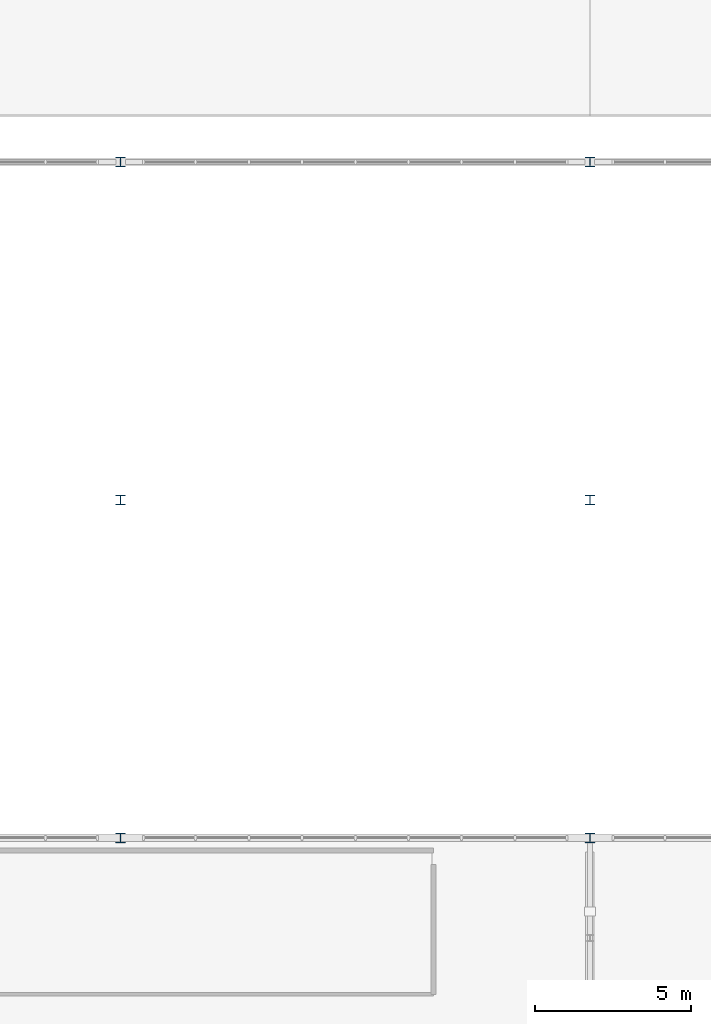
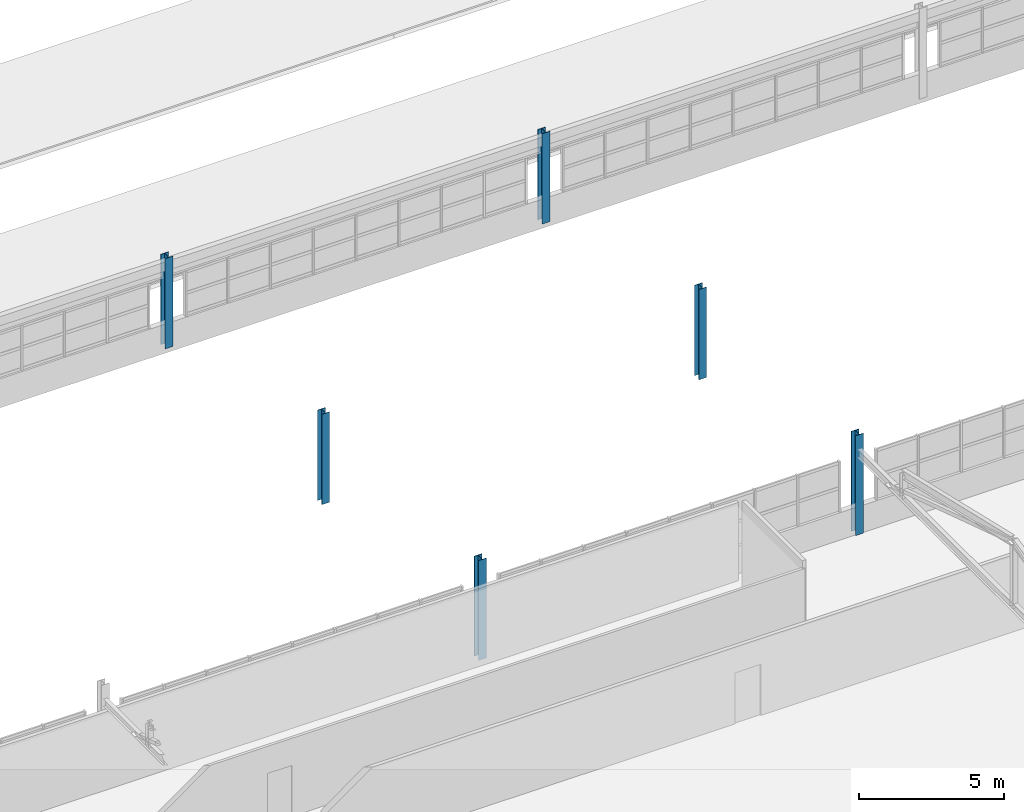
# One storey, part 4 of 90: 6 columns.
"""IFC4 building model written with IfcOpenShell, lengths in metres."""

import ifcopenshell
import ifcopenshell.guid

model = None  # the IFC model being written
_history = None  # IfcOwnerHistory: only IFC2X3 demands one
_inside = {}  # id of a spatial element -> (the spatial element, [elements in it])
_under = {}  # id of a project, library or spatial element -> (it, [spatial elements below it])
_declared = {}  # id of a project -> (the project, [libraries it declares])
_typed = {}  # id of a type object -> (the type object, [elements of that type])
_made_of = {}  # id of a material, layer set ... -> (it, [elements and type objects made of it])


def new_model(schema):
    """Start an empty IFC model of exactly this schema.

    Asked for "IFC4X3", IfcOpenShell would pick the latest addendum, in which some entities
    have other attributes; the version numbers below select the first issue.
    IFC2X3 requires an IfcOwnerHistory on every rooted entity: one is made here for all.
    """
    global model, _history
    if schema == "IFC4X3":
        model = ifcopenshell.file(schema_version=(4, 3, 0, 0))
    else:
        model = ifcopenshell.file(schema=schema)
    _inside.clear()
    _under.clear()
    _declared.clear()
    _typed.clear()
    _made_of.clear()
    _history = None
    if model.schema == "IFC2X3":
        org = make("IfcOrganization", Name="unknown")
        user = make(
            "IfcPersonAndOrganization",
            ThePerson=make("IfcPerson", FamilyName="unknown"),
            TheOrganization=org,
        )
        app = make(
            "IfcApplication",
            ApplicationDeveloper=org,
            Version="unknown",
            ApplicationFullName="unknown",
            ApplicationIdentifier="unknown",
        )
        _history = make(
            "IfcOwnerHistory",
            OwningUser=user,
            OwningApplication=app,
            ChangeAction="ADDED",
            CreationDate=0,
        )
    return model


def make(cls, **values):
    """One entity of the class cls with the attributes given. An attribute that is None is left unset."""
    return model.create_entity(
        cls, **{name: value for name, value in values.items() if value is not None}
    )


def rooted(cls, **values):
    """An entity with a GlobalId (a new one), such as an element, a storey or a relation."""
    return make(cls, GlobalId=ifcopenshell.guid.new(), OwnerHistory=_history, **values)


def si_unit(unit_type, name, prefix=None):
    """IfcSIUnit, for example si_unit("LENGTHUNIT", "METRE", prefix="MILLI")."""
    return make("IfcSIUnit", UnitType=unit_type, Prefix=prefix, Name=name)


def assignment(units):
    """IfcUnitAssignment: the units of a project."""
    return None if units is None else make("IfcUnitAssignment", Units=units)


def point(xyz):
    """IfcCartesianPoint."""
    return None if xyz is None else make("IfcCartesianPoint", Coordinates=xyz)


def direction(xyz):
    """IfcDirection."""
    return None if xyz is None else make("IfcDirection", DirectionRatios=xyz)


def frame(location, z_axis=None, x_axis=None):
    """IfcAxis2Placement3D, a coordinate frame: its origin and axes. An axis left out is left unset."""
    return make(
        "IfcAxis2Placement3D",
        Location=point(location),
        Axis=direction(z_axis),
        RefDirection=direction(x_axis),
    )


def frame_2d(location, x_axis=None):
    """IfcAxis2Placement2D, a coordinate frame in the plane: its origin and x axis."""
    return make(
        "IfcAxis2Placement2D", Location=point(location), RefDirection=direction(x_axis)
    )


def origin():
    """The frame at (0, 0, 0) with its axes left unset."""
    return frame((0.0, 0.0, 0.0))


def origin_2d():
    """The frame at (0, 0) in the plane with its x axis left unset."""
    return frame_2d((0.0, 0.0))


def place(relative_to, where):
    """IfcLocalPlacement: puts the frame where relative to a parent placement (None: the world)."""
    return make(
        "IfcLocalPlacement", PlacementRelTo=relative_to, RelativePlacement=where
    )


def context(
    kind, dimensions, precision=None, world=None, true_north=None, identifier=None
):
    """IfcGeometricRepresentationContext, for example the 3D "Model" context."""
    return make(
        "IfcGeometricRepresentationContext",
        ContextIdentifier=identifier,
        ContextType=kind,
        CoordinateSpaceDimension=dimensions,
        Precision=precision,
        WorldCoordinateSystem=world,
        TrueNorth=true_north,
    )


def subcontext(parent, identifier, kind, view, scale=None):
    """IfcGeometricRepresentationSubContext, for example "Body" below "Model"."""
    return make(
        "IfcGeometricRepresentationSubContext",
        ContextIdentifier=identifier,
        ContextType=kind,
        ParentContext=parent,
        TargetScale=scale,
        TargetView=view,
    )


def project(units=None, contexts=None):
    """IfcProject with its units and contexts."""
    return rooted(
        "IfcProject",
        Name="project",
        RepresentationContexts=contexts,
        UnitsInContext=assignment(units),
    )


def spatial(cls, under=None, at=None, **own):
    """A site, building, storey or space (cls), placed at a placement, below another one or the project."""
    s = rooted(cls, ObjectPlacement=at, **own)
    if under is not None:
        _under.setdefault(under.id(), (under, []))[1].append(s)
    return s


def profile(cls, at=None, kind="AREA", **sizes):
    """A parametric profile (cls). Its sizes go by their IFC names, for example OverallWidth=200.0."""
    return make(cls, ProfileType=kind, Position=at, **sizes)


def i_section(**sizes):
    """IfcIShapeProfileDef."""
    return profile("IfcIShapeProfileDef", **sizes)


def extrude(swept, where, along, depth):
    """IfcExtrudedAreaSolid: the profile swept, set in the frame where, extruded along a direction by depth."""
    return make(
        "IfcExtrudedAreaSolid",
        SweptArea=swept,
        Position=where,
        ExtrudedDirection=direction(along),
        Depth=depth,
    )


def shape(context_of_items, identifier, shape_type, items):
    """IfcShapeRepresentation: the items that make up one representation, for example the "Body"."""
    return make(
        "IfcShapeRepresentation",
        ContextOfItems=context_of_items,
        RepresentationIdentifier=identifier,
        RepresentationType=shape_type,
        Items=items,
    )


def material(Name=None, Category=None):
    """IfcMaterial."""
    return make("IfcMaterial", Name=Name, Category=Category)


def material_profile(
    of_material, cross_section, Name=None, Category=None, Priority=None
):
    """IfcMaterialProfile: a cross section and its material."""
    return make(
        "IfcMaterialProfile",
        Name=Name,
        Material=of_material,
        Profile=cross_section,
        Priority=Priority,
        Category=Category,
    )


def profile_set(profiles, Name=None, composite=None):
    """IfcMaterialProfileSet."""
    return make(
        "IfcMaterialProfileSet",
        Name=Name,
        MaterialProfiles=profiles,
        CompositeProfile=composite,
    )


def made_of(thing, what):
    """Note that an element or type object is made of a material, layer set ...; save() writes the relation."""
    if what is not None:
        _made_of.setdefault(what.id(), (what, []))[1].append(thing)
    return thing


def type_object(cls, material=None, **own):
    """A type object (cls), such as IfcWallType, which elements share."""
    return made_of(rooted(cls, **own), material)


def element(
    cls,
    number,
    at=None,
    inside=None,
    cuts=None,
    type_object=None,
    material=None,
    context=None,
    identifier="Body",
    shape_type=None,
    held_by="IfcProductDefinitionShape",
    body=None,
    shapes=None,
    **own,
):
    """One element of the class cls, such as IfcWall. Its Tag is "e" and its number.

    at: its placement. inside: the storey or other place that contains it. cuts: it is an
    opening in that element (IfcRelVoidsElement). A single representation is given by context,
    identifier, shape_type and body (its items); several are given by shapes. held_by: the class
    of the entity that holds the representations. save() writes the other relations.
    """
    e = rooted(cls, Tag="e%d" % number, ObjectPlacement=at, **own)
    if body is not None:
        shapes = [shape(context, identifier, shape_type, body)]
    if shapes is not None:
        e.Representation = make(held_by, Representations=shapes)
    if inside is not None:
        _inside.setdefault(inside.id(), (inside, []))[1].append(e)
    if cuts is not None:
        rooted(
            "IfcRelVoidsElement", RelatingBuildingElement=cuts, RelatedOpeningElement=e
        )
    if type_object is not None:
        _typed.setdefault(type_object.id(), (type_object, []))[1].append(e)
    return made_of(e, material)


def aggregate(whole, parts):
    """IfcRelAggregates: a whole, such as a stair, and the parts it consists of."""
    return rooted("IfcRelAggregates", RelatingObject=whole, RelatedObjects=parts)


def save(model, path):
    """Write the relations noted so far, then the file.

    IfcRelAggregates (storeys below a building ...), IfcRelContainedInSpatialStructure (elements
    in a storey), IfcRelDefinesByType, IfcRelAssociatesMaterial and IfcRelDeclares: one each for
    every whole, place, type object, material and project.
    """
    for whole, parts in _under.values():
        aggregate(whole, parts)
    for where, things in _inside.values():
        rooted(
            "IfcRelContainedInSpatialStructure",
            RelatedElements=things,
            RelatingStructure=where,
        )
    for kind, things in _typed.values():
        rooted("IfcRelDefinesByType", RelatedObjects=things, RelatingType=kind)
    for what, things in _made_of.values():
        rooted("IfcRelAssociatesMaterial", RelatedObjects=things, RelatingMaterial=what)
    for by, libraries in _declared.values():
        rooted("IfcRelDeclares", RelatingContext=by, RelatedDefinitions=libraries)
    model.write(path)


model = new_model("IFC4")

# Units and contexts
model_context = context("Model", 3, precision=1e-05, world=origin(), true_north=direction((0.0, 1.0)))
body_context = subcontext(model_context, "Body", "Model", "MODEL_VIEW")
ifc_project = project(units=[si_unit("LENGTHUNIT", "METRE"), si_unit("AREAUNIT", "SQUARE_METRE"), si_unit("VOLUMEUNIT", "CUBIC_METRE"), si_unit("PLANEANGLEUNIT", "RADIAN"), si_unit("MASSUNIT", "GRAM", prefix="KILO")], contexts=[model_context])

# Site, building, storey
site_placement = place(None, origin())
site = spatial("IfcSite", under=ifc_project, at=site_placement, CompositionType="ELEMENT")
building_placement = place(site_placement, origin())
building = spatial("IfcBuilding", under=site, at=building_placement, Name="Solanera Park Tramway Depot", CompositionType="ELEMENT")
storey_placement = place(building_placement, frame((0.0, 0.0, 9.0)))
storey = spatial("IfcBuildingStorey", under=building, at=storey_placement, Name="L02", CompositionType="ELEMENT", Elevation=9.0)

# Columns
ifc_material_1 = material(Name="Steel AS/NZS 3679.1 Grade 350", Category="steel")
ifc_material_profile_1 = material_profile(ifc_material_1, i_section(OverallWidth=0.306884765625, OverallDepth=0.314697265625, WebThickness=0.011962890625, FlangeThickness=0.018798828125, at=origin_2d()), Name="310UC118")
ifc_profile_set_1 = profile_set([ifc_material_profile_1], Name="Steel AS/NZS 3679.1 Grade 350")
column_type_1 = type_object("IfcColumnType", Name="Steel Column Ext 310UC118", PredefinedType="COLUMN", material=ifc_profile_set_1)
for number, where, z_axis, x_axis, name in (
    (1, (45.0, 54.0, 0.0), (0.0, 0.0, 1.0), (1.0, 0.0, 0.0), "L02 Column V2-X450-Y540"),
    (2, (60.0, 54.0, 0.0), (0.0, 0.0, 1.0), (1.0, 0.0, 0.0), "L02 Column V2-X600-Y540"),
):
    element("IfcColumn", number, at=place(storey_placement, frame(where, z_axis=z_axis, x_axis=x_axis)), inside=storey, type_object=column_type_1, Name=name, PredefinedType="COLUMN", context=body_context, shape_type="SweptSolid", body=[
        extrude(i_section(OverallWidth=0.306884765625, OverallDepth=0.314697265625, WebThickness=0.011962890625, FlangeThickness=0.018798828125, at=origin_2d()), origin(), (0.0, 0.0, 1.0), 3.800048828125),
    ])
ifc_material_2 = material(Name="Steel AS/NZS 3679.1 Grade 350", Category="steel")
ifc_material_profile_2 = material_profile(ifc_material_2, i_section(OverallWidth=0.306884765625, OverallDepth=0.314697265625, WebThickness=0.011962890625, FlangeThickness=0.018798828125, at=origin_2d()), Name="310UC118")
ifc_profile_set_2 = profile_set([ifc_material_profile_2], Name="Steel AS/NZS 3679.1 Grade 350")
column_type_2 = type_object("IfcColumnType", Name="Steel Column Int 310UC118", PredefinedType="COLUMN", material=ifc_profile_set_2)
column_1_placement = place(storey_placement, frame((45.0, 32.39990234375, 0.0), z_axis=(0.0, 0.0, 1.0), x_axis=(1.0, 0.0, 0.0)))
element("IfcColumn", 3, at=column_1_placement, inside=storey, type_object=column_type_2, Name="L02 Column V2-X450-Y324", PredefinedType="COLUMN", context=body_context, shape_type="SweptSolid", body=[
    extrude(i_section(OverallWidth=0.306884765625, OverallDepth=0.314697265625, WebThickness=0.011962890625, FlangeThickness=0.018798828125, at=origin_2d()), origin(), (0.0, 0.0, 1.0), 4.199951171875),
])
column_2_placement = place(storey_placement, frame((45.0, 43.199951171875, 0.0), z_axis=(0.0, 0.0, 1.0), x_axis=(1.0, 0.0, 0.0)))
element("IfcColumn", 4, at=column_2_placement, inside=storey, type_object=column_type_2, Name="L02 Column V2-X450-Y432", PredefinedType="COLUMN", context=body_context, shape_type="SweptSolid", body=[
    extrude(i_section(OverallWidth=0.306884765625, OverallDepth=0.314697265625, WebThickness=0.011962890625, FlangeThickness=0.018798828125, at=origin_2d()), origin(), (0.0, 0.0, 1.0), 3.800048828125),
])
column_3_placement = place(storey_placement, frame((60.0, 32.39990234375, 0.0), z_axis=(0.0, 0.0, 1.0), x_axis=(1.0, 0.0, 0.0)))
element("IfcColumn", 5, at=column_3_placement, inside=storey, type_object=column_type_2, Name="L02 Column V2-X600-Y324", PredefinedType="COLUMN", context=body_context, shape_type="SweptSolid", body=[
    extrude(i_section(OverallWidth=0.306884765625, OverallDepth=0.314697265625, WebThickness=0.011962890625, FlangeThickness=0.018798828125, at=origin_2d()), origin(), (0.0, 0.0, 1.0), 4.199951171875),
])
column_4_placement = place(storey_placement, frame((60.0, 43.199951171875, 0.0), z_axis=(0.0, 0.0, 1.0), x_axis=(1.0, 0.0, 0.0)))
element("IfcColumn", 6, at=column_4_placement, inside=storey, type_object=column_type_2, Name="L02 Column V2-X600-Y432", PredefinedType="COLUMN", context=body_context, shape_type="SweptSolid", body=[
    extrude(i_section(OverallWidth=0.306884765625, OverallDepth=0.314697265625, WebThickness=0.011962890625, FlangeThickness=0.018798828125, at=origin_2d()), origin(), (0.0, 0.0, 1.0), 3.800048828125),
])

save(model, "model.ifc")
